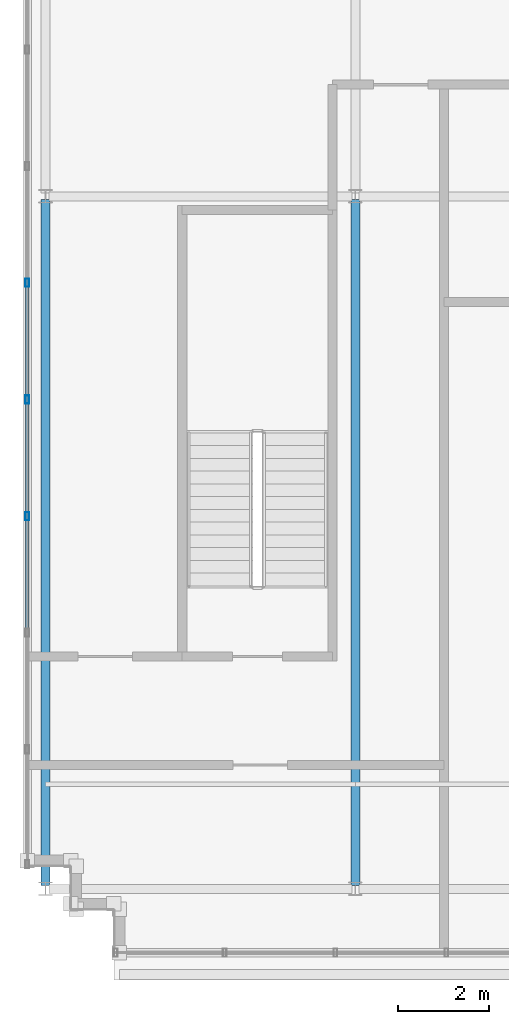
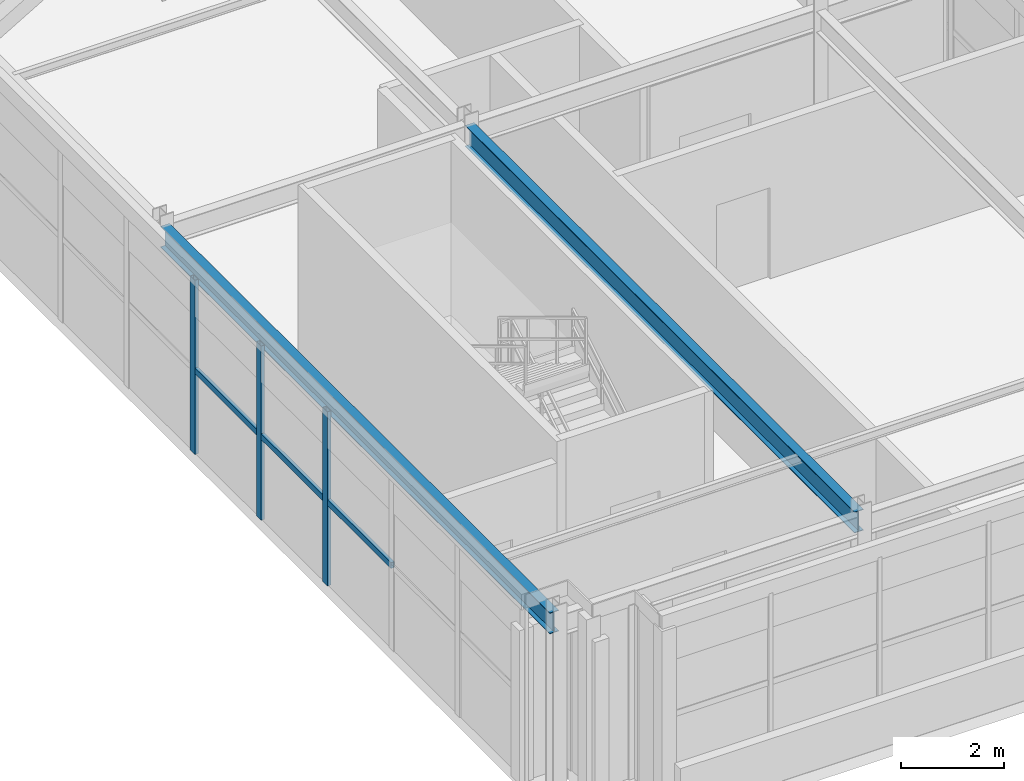
# One storey, part 5 of 28: 6 members, 2 beams, 1 element without a shape of its own.
"""IFC4 building model written with IfcOpenShell, lengths in metres."""

from ifc_helpers import new_model, si_unit, direction, frame, origin, origin_2d, place, context, subcontext, project, spatial, hollow_rectangle, i_section, extrude, source, transform, mapped, material, material_profile, profile_set, type_object, element, aggregate, save


model = new_model("IFC4")

# Units and contexts
model_context = context("Model", 3, precision=1e-05, world=origin(), true_north=direction((0.0, 1.0)))
body_context = subcontext(model_context, "Body", "Model", "MODEL_VIEW")
ifc_project = project(units=[si_unit("LENGTHUNIT", "METRE"), si_unit("AREAUNIT", "SQUARE_METRE"), si_unit("VOLUMEUNIT", "CUBIC_METRE"), si_unit("PLANEANGLEUNIT", "RADIAN"), si_unit("MASSUNIT", "GRAM", prefix="KILO")], contexts=[model_context])

# Site, building, storey
site_placement = place(None, origin())
site = spatial("IfcSite", under=ifc_project, at=site_placement, CompositionType="ELEMENT")
building_placement = place(site_placement, origin())
building = spatial("IfcBuilding", under=site, at=building_placement, Name="Trelvane Seafront Commons", CompositionType="ELEMENT")
storey_placement = place(building_placement, frame((0.0, 0.0, 312.300048828125)))
storey = spatial("IfcBuildingStorey", under=building, at=storey_placement, Name="L81", CompositionType="ELEMENT", Elevation=312.300048828125)

# Beams
ifc_material_1 = material(Name="Steel SM355 (S355)", Category="steel")
ifc_material_profile_1 = material_profile(ifc_material_1, i_section(OverallWidth=0.199951171875, OverallDepth=0.5, WebThickness=0.010009765625, FlangeThickness=0.01611328125, at=origin_2d()), Name="H-500x200x10x16")
ifc_profile_set_1 = profile_set([ifc_material_profile_1], Name="Steel SM355 (S355)")
beam_type = type_object("IfcBeamType", Name="STR-BM-H500", PredefinedType="BEAM", material=ifc_profile_set_1)
shared_shape_1 = source(origin(), body_context, "Body", "SweptSolid", [
    extrude(i_section(OverallWidth=0.199951171875, OverallDepth=0.5, WebThickness=0.010009765625, FlangeThickness=0.01611328125, at=origin_2d()), origin(), (0.0, 0.0, 1.0), 15.050048828125),
])
for number, where, z_axis, x_axis, name in (
    (1, (8.800048828125, 18.27490234375, 3.85986328125), (0.0, 1.0, 0.0), (-1.0, 0.0, 0.0), "L81 Primary Girder G-13"),
    (2, (15.60009765625, 18.27490234375, 3.85986328125), (0.0, 1.0, 0.0), (-1.0, 0.0, 0.0), "L81 Primary Girder G-15"),
):
    element("IfcBeam", number, at=place(storey_placement, frame(where, z_axis=z_axis, x_axis=x_axis)), inside=storey, type_object=beam_type, Name=name, PredefinedType="BEAM", context=body_context, shape_type="MappedRepresentation", body=[
        mapped(shared_shape_1, transform((0.0, 0.0, 0.0), x_axis=(1.0, 0.0, 0.0), y_axis=(0.0, 1.0, 0.0), z_axis=(0.0, 0.0, 1.0), scale=1.0)),
    ])

# Curtain wall, members
ifc_material_2 = material(Name="Anodised pale-silver aluminium", Category="aluminium")
curtain_wall_type = type_object("IfcCurtainWallType", Name="ARCH-CW6-CROWN", PredefinedType="NOTDEFINED", material=ifc_material_2)
curtain_wall_placement = place(storey_placement, origin())
curtain_wall = element("IfcCurtainWall", 3, at=curtain_wall_placement, inside=storey, type_object=curtain_wall_type, Name="CW-L81-0144", PredefinedType="NOTDEFINED")
ifc_material_profile_2 = material_profile(ifc_material_2, hollow_rectangle(XDim=0.080078125, YDim=0.179931640625, WallThickness=0.00439453125, at=origin_2d()), Name="MULL-80x180x4.5")
ifc_profile_set_2 = profile_set([ifc_material_profile_2], Name="Anodised pale-silver aluminium")
member_type_1 = type_object("IfcMemberType", Name="ARCH-CW-MULL-180", PredefinedType="MULLION", material=ifc_profile_set_2)
shared_shape_2 = source(origin(), body_context, "Body", "SweptSolid", [
    extrude(hollow_rectangle(XDim=0.080078125, YDim=0.179931640625, WallThickness=0.00439453125, at=origin_2d()), origin(), (0.0, 0.0, 1.0), 4.10986328125),
])
member_1_placement = place(storey_placement, frame((8.39990234375, 26.3798828125, 0.0), z_axis=(0.0, 0.0, 1.0), x_axis=(1.0, 0.0, 0.0)))
member_1 = element("IfcMember", 4, at=member_1_placement, type_object=member_type_1, Name="CW-L81-0144-M03", PredefinedType="MULLION", context=body_context, shape_type="MappedRepresentation", body=[
    mapped(shared_shape_2, transform((0.0, 0.0, 0.0), x_axis=(1.0, 0.0, 0.0), y_axis=(0.0, 1.0, 0.0), z_axis=(0.0, 0.0, 1.0), scale=1.0)),
])
member_2_placement = place(storey_placement, frame((8.39990234375, 28.93994140625, 0.0), z_axis=(0.0, 0.0, 1.0), x_axis=(1.0, 0.0, 0.0)))
member_2 = element("IfcMember", 5, at=member_2_placement, type_object=member_type_1, Name="CW-L81-0144-M04", PredefinedType="MULLION", context=body_context, shape_type="MappedRepresentation", body=[
    mapped(shared_shape_2, transform((0.0, 0.0, 0.0), x_axis=(1.0, 0.0, 0.0), y_axis=(0.0, 1.0, 0.0), z_axis=(0.0, 0.0, 1.0), scale=1.0)),
])
member_3_placement = place(storey_placement, frame((8.39990234375, 31.5, 0.0), z_axis=(0.0, 0.0, 1.0), x_axis=(1.0, 0.0, 0.0)))
member_3 = element("IfcMember", 6, at=member_3_placement, type_object=member_type_1, Name="CW-L81-0144-M05", PredefinedType="MULLION", context=body_context, shape_type="MappedRepresentation", body=[
    mapped(shared_shape_2, transform((0.0, 0.0, 0.0), x_axis=(1.0, 0.0, 0.0), y_axis=(0.0, 1.0, 0.0), z_axis=(0.0, 0.0, 1.0), scale=1.0)),
])
ifc_material_profile_3 = material_profile(ifc_material_2, hollow_rectangle(XDim=0.074951171875, YDim=0.139892578125, WallThickness=0.00390625, at=origin_2d()), Name="TRAN-75x140x4")
ifc_profile_set_3 = profile_set([ifc_material_profile_3], Name="Anodised pale-silver aluminium")
member_type_2 = type_object("IfcMemberType", Name="ARCH-CW-TRAN-140", PredefinedType="USERDEFINED", material=ifc_profile_set_3)
shared_shape_3 = source(origin(), body_context, "Body", "SweptSolid", [
    extrude(hollow_rectangle(XDim=0.074951171875, YDim=0.139892578125, WallThickness=0.00390625, at=origin_2d()), origin(), (0.0, 0.0, 1.0), 2.5361328125),
])
member_4_placement = place(storey_placement, frame((8.39990234375, 28.951904296875, 1.972900390625), z_axis=(0.0, 1.0, 0.0), x_axis=(-1.0, 0.0, 0.0)))
member_4 = element("IfcMember", 7, at=member_4_placement, type_object=member_type_2, Name="CW-L81-0144-T04", ObjectType="TRANSOM", PredefinedType="USERDEFINED", context=body_context, shape_type="MappedRepresentation", body=[
    mapped(shared_shape_3, transform((0.0, 0.0, 0.0), x_axis=(1.0, 0.0, 0.0), y_axis=(0.0, 1.0, 0.0), z_axis=(0.0, 0.0, 1.0), scale=1.0)),
])
shared_shape_4 = source(origin(), body_context, "Body", "SweptSolid", [
    extrude(hollow_rectangle(XDim=0.074951171875, YDim=0.139892578125, WallThickness=0.00390625, at=origin_2d()), origin(), (0.0, 0.0, 1.0), 2.535888671875),
])
member_5_placement = place(storey_placement, frame((8.39990234375, 23.83203125, 1.972900390625), z_axis=(0.0, 1.0, 0.0), x_axis=(-1.0, 0.0, 0.0)))
member_5 = element("IfcMember", 8, at=member_5_placement, type_object=member_type_2, Name="CW-L81-0144-T02", ObjectType="TRANSOM", PredefinedType="USERDEFINED", context=body_context, shape_type="MappedRepresentation", body=[
    mapped(shared_shape_4, transform((0.0, 0.0, 0.0), x_axis=(1.0, 0.0, 0.0), y_axis=(0.0, 1.0, 0.0), z_axis=(0.0, 0.0, 1.0), scale=1.0)),
])
member_6_placement = place(storey_placement, frame((8.39990234375, 26.39208984375, 1.972900390625), z_axis=(0.0, 1.0, 0.0), x_axis=(-1.0, 0.0, 0.0)))
member_6 = element("IfcMember", 9, at=member_6_placement, type_object=member_type_2, Name="CW-L81-0144-T03", ObjectType="TRANSOM", PredefinedType="USERDEFINED", context=body_context, shape_type="MappedRepresentation", body=[
    mapped(shared_shape_4, transform((0.0, 0.0, 0.0), x_axis=(1.0, 0.0, 0.0), y_axis=(0.0, 1.0, 0.0), z_axis=(0.0, 0.0, 1.0), scale=1.0)),
])
aggregate(curtain_wall, [member_1, member_2, member_3, member_5, member_6, member_4])

save(model, "model.ifc")
